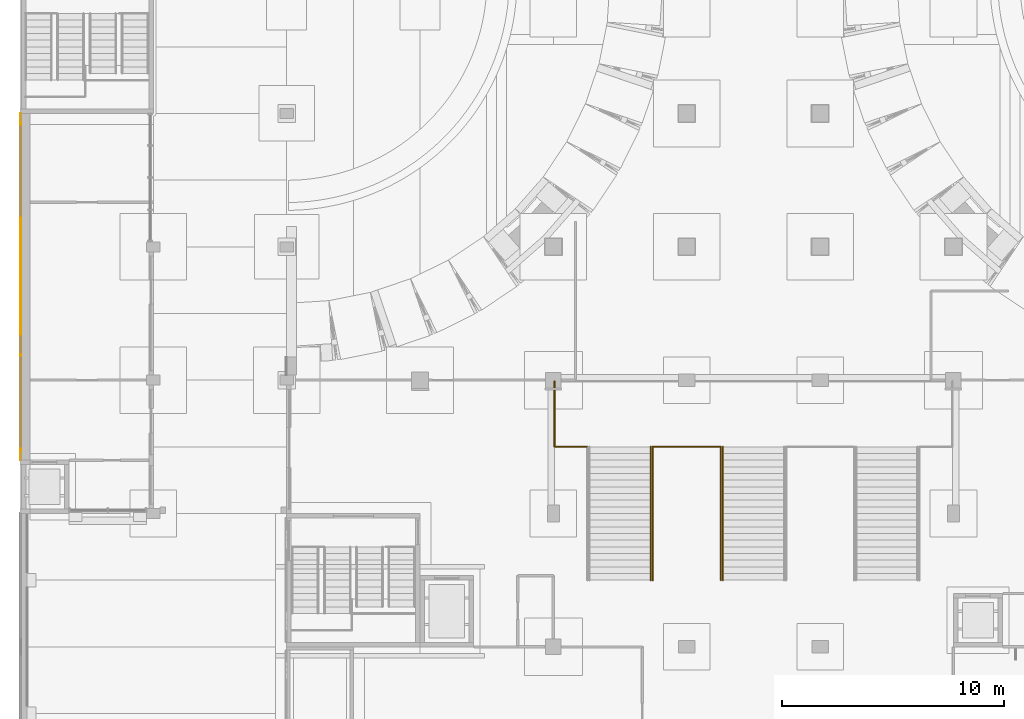
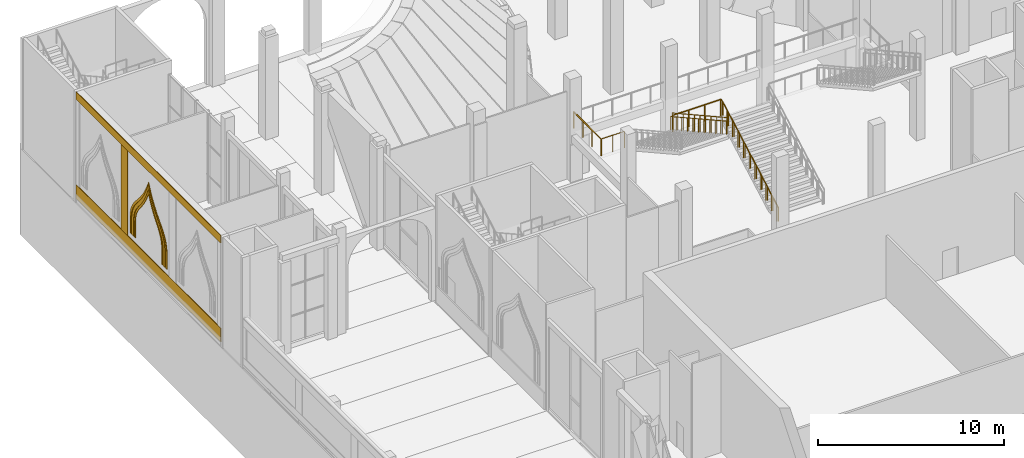
# One storey, part 84 of 95: 7 railings, 6 coverings.
"""IFC4 building model written with IfcOpenShell, lengths in metres."""

from ifc_helpers import new_model, si_unit, direction, frame, origin, origin_2d, place, context, subcontext, project, spatial, polyline, rectangle, circle, outline, extrude, material, layer, layer_set, type_object, element, save


model = new_model("IFC4")

# Units and contexts
model_context = context("Model", 3, precision=1e-05, world=origin(), true_north=direction((0.0, 1.0)))
body_context = subcontext(model_context, "Body", "Model", "MODEL_VIEW")
ifc_project = project(units=[si_unit("LENGTHUNIT", "METRE"), si_unit("AREAUNIT", "SQUARE_METRE"), si_unit("VOLUMEUNIT", "CUBIC_METRE"), si_unit("PLANEANGLEUNIT", "RADIAN"), si_unit("MASSUNIT", "GRAM", prefix="KILO")], contexts=[model_context])

# Site, building, storey
site_placement = place(None, origin())
site = spatial("IfcSite", under=ifc_project, at=site_placement, CompositionType="ELEMENT")
building_placement = place(site_placement, origin())
building = spatial("IfcBuilding", under=site, at=building_placement, Name="Saffron Lane Theatres", CompositionType="ELEMENT")
storey_placement = place(building_placement, origin())
storey = spatial("IfcBuildingStorey", under=building, at=storey_placement, Name="L00", CompositionType="ELEMENT", Elevation=0.0)

# Coverings
ifc_material_1 = material(Name="Face brick cladding, pale buff", Category="masonry")
ifc_layer_1 = layer(ifc_material_1, 0.0400390625)
ifc_layer_set_1 = layer_set([ifc_layer_1], Name="Face brick cladding, pale buff")
covering_type_1 = type_object("IfcCoveringType", Name="EX-FACE BRICK SKIN PALE BUFF 40", PredefinedType="CLADDING", material=ifc_layer_set_1)
covering_1_placement = place(storey_placement, frame((0.0400390625, 112.199951171875, 0.0), z_axis=(0.0, 0.0, 1.0), x_axis=(0.0, 1.0, 0.0)))
element("IfcCovering", 1, at=covering_1_placement, inside=storey, type_object=covering_type_1, Name="Face brick cladding, pale buff L00", PredefinedType="CLADDING", context=body_context, shape_type="SweptSolid", body=[
    extrude(rectangle(XDim=15.60009765625, YDim=0.0400390625, at=origin_2d()), origin(), (0.0, 0.0, 1.0), 0.89990234375),
])
covering_2_placement = place(storey_placement, frame((0.0400390625, 112.199951171875, 6.5), z_axis=(0.0, 0.0, 1.0), x_axis=(0.0, 1.0, 0.0)))
element("IfcCovering", 2, at=covering_2_placement, inside=storey, type_object=covering_type_1, Name="Face brick cladding, pale buff L00", PredefinedType="CLADDING", context=body_context, shape_type="SweptSolid", body=[
    extrude(rectangle(XDim=15.60009765625, YDim=0.0400390625, at=origin_2d()), origin(), (0.0, 0.0, 1.0), 0.5),
])
covering_3_placement = place(storey_placement, frame((0.0400390625, 114.800048828125, 0.89990234375), z_axis=(0.0, 0.0, 1.0), x_axis=(0.0, 1.0, 0.0)))
element("IfcCovering", 3, at=covering_3_placement, inside=storey, type_object=covering_type_1, Name="Face brick cladding, pale buff L00", PredefinedType="CLADDING", context=body_context, shape_type="SweptSolid", body=[
    extrude(rectangle(XDim=0.699951171875, YDim=0.0400390625, at=origin_2d()), origin(), (0.0, 0.0, 1.0), 5.60009765625),
])
ifc_material_2 = material(Name="Face brick cladding, pale buff", Category="masonry")
ifc_layer_2 = layer(ifc_material_2, 0.0400390625)
ifc_layer_set_2 = layer_set([ifc_layer_2], Name="Face brick cladding, pale buff")
covering_type_2 = type_object("IfcCoveringType", Name="EX-NICHE FRAME RING FACE BRICK PALE BUFF", PredefinedType="CLADDING", material=ifc_layer_set_2)
covering_4_placement = place(storey_placement, frame((0.06005859375, 110.6689453125, 2.39306640625), z_axis=(1.0, 0.0, 0.0), x_axis=(0.0, -0.037272469942, -0.999305140077)))
element("IfcCovering", 4, at=covering_4_placement, inside=storey, type_object=covering_type_2, Name="Court wall niche ring", PredefinedType="CLADDING", context=body_context, shape_type="SweptSolid", body=[
    extrude(outline(polyline([(0.0, 0.0), (0.24235590340436833, 1.734723475976807e-18), (1.1426088250069757, 0.03357798195493597), (1.1381317607463175, 0.15361170483528364), (0.2398306069954232, 0.12010652067320389), (0.0055257459793708425, 0.12040681156873582), (-0.19817871037265897, 0.13870586487099182), (-0.3775987084064123, 0.17403517480879674), (-0.538760724865636, 0.2242154804277619), (-0.686245610053506, 0.287610061081069), (-0.8251585551325552, 0.3635398805995423), (-0.961309365037387, 0.4505666906972924), (-1.098113633508499, 0.5485630952368209), (-1.2422478527170677, 0.6531267952582409), (-1.3964867007002681, 0.7665974036110165), (-1.5659973451199565, 0.8834073647725822), (-1.754475749594523, 1.0043960668071892), (-1.9683999339342142, 1.126390165386378), (-2.2109142217257425, 1.248539451152365), (-2.4865630643758565, 1.3682313195324758), (-2.6631623938749205, 1.4327387718502236), (-2.491895502702575, 1.5111983146704508), (-2.225892367605912, 1.6501156866423086), (-1.9931511835053324, 1.7899912349687879), (-1.7889182053396264, 1.9278262316488881), (-1.6099763117292263, 2.06251911818868), (-1.449638189209423, 2.191631906342949), (-1.3042351733341473, 2.315057120991835), (-1.1683362044424397, 2.4312871591954446), (-1.0392121031176598, 2.5392022630116347), (-0.9099133854654207, 2.6358856019563675), (-0.7770426571934386, 2.721952514130071), (-0.6346991161260397, 2.796401538003992), (-0.47771387303194224, 2.8582039128770584), (-0.3014241800910068, 2.9068006205629113), (-0.0996579649737741, 2.9404673863125135), (0.1339735164583581, 2.958220948045326), (1.0322746702092525, 2.991726132207406), (1.0278067056727014, 3.1115158841062893), (0.12755378407009405, 3.0779379021513535), (-0.11412873975035417, 3.0598840495230086), (-0.3268008512406161, 3.0238560283368776), (-0.5161557804913297, 2.9718402837716758), (-0.6846969353858856, 2.9054536154565818), (-0.8368612922111728, 2.8257520832649896), (-0.9785769523151868, 2.7344690616700444), (-1.1128443652683528, 2.6334471218341733), (-1.2457992045037025, 2.523434654580558), (-1.3816981733954101, 2.4072046163769483), (-1.5261253053448294, 2.28381580062449), (-1.6836085738799196, 2.1567639770112192), (-1.8587561284761782, 2.0251443378347087), (-2.0577764403594925, 1.8916570417698533), (-2.285024588299789, 1.7551624098568694), (-2.5450012466527054, 1.6184242988394002), (-2.97690907603778, 1.4210365266485847), (-2.531506355801982, 1.2566153333281083), (-2.2620659843777555, 1.1396236236228916), (-2.0252722258491858, 1.020192695980012), (-1.816860998687418, 0.9019019391738946), (-1.632395326605562, 0.7836952933311447), (-1.4658942314804062, 0.6689718743134718), (-1.3126676663194903, 0.5564407509901246), (-1.1684970482144936, 0.45090116704284805), (-1.0277164462470993, 0.351098590237319), (-0.8862875504217015, 0.26011536766092647), (-0.7381656845463394, 0.17964281830513085), (-0.5804868949121927, 0.11149793572946534), (-0.4074686757569787, 0.057850881164211616), (-0.21476504803487853, 0.020085304550616787), (0.0, 0.0)])), origin(), (0.0, 0.0, -1.0), 0.0400390625),
])
covering_5_placement = place(storey_placement, frame((0.06005859375, 110.410888671875, 2.4140625), z_axis=(1.0, 0.0, 0.0), x_axis=(0.0, -0.041901657311, -0.999121739887)))
element("IfcCovering", 5, at=covering_5_placement, inside=storey, type_object=covering_type_2, Name="Court wall niche ring", PredefinedType="CLADDING", context=body_context, shape_type="SweptSolid", body=[
    extrude(outline(polyline([(0.0, 0.0), (0.2621931644232471, 0.0), (1.1635004956932669, 0.0377994686925917), (1.155111980313585, 0.23781895763478827), (0.25795139454602517, 0.2001933971878729), (0.00970294345353901, 0.19980079648162058), (-0.20546838664234832, 0.220588174119385), (-0.3942902305423498, 0.2598298309303697), (-0.5625554378102882, 0.3158166921551046), (-0.7187195864826749, 0.3862393017572159), (-0.8655170143098301, 0.4722047619019896), (-1.0106203712261619, 0.57021467521333), (-1.158461248527375, 0.6810606083728648), (-1.3125860104390266, 0.8019059246622287), (-1.4792753589369931, 0.9310210895283425), (-1.6630820527613535, 1.0662603252837044), (-1.8690671628578486, 1.2059452468592577), (-2.100248281452763, 1.3462839725061382), (-2.3631909563152194, 1.4865124425985698), (-2.662427486391686, 1.6239970270369974), (-2.7883997996284204, 1.6736938657132114), (-2.667030939953707, 1.7337638197491785), (-2.3803669530499585, 1.8960645425180187), (-2.130078660534657, 2.057572789281071), (-1.9115110046996788, 2.217995075665567), (-1.7178938398398125, 2.3732169371767404), (-1.5460663551735103, 2.523615288679076), (-1.390773111715746, 2.666233917327117), (-1.247297672377569, 2.7993157815119316), (-1.1092570362150573, 2.9221511537263294), (-0.9728695513761514, 3.0319663679500515), (-0.8337854657395819, 3.129921267149688), (-0.6840661520540241, 3.2131721673446303), (-0.5210795715372027, 3.283051228429863), (-0.33620646780373453, 3.3379650871453266), (-0.12354146242494729, 3.376939629984194), (0.12386813712957068, 3.397334179584666), (1.0210287228971304, 3.4349597400315814), (1.0126504374142529, 3.634735302767751), (0.11134310614423296, 3.5969358340751594), (-0.14992936756661002, 3.5749824755327233), (-0.38227055645915387, 3.533227901404475), (-0.5888515012117506, 3.471539123031958), (-0.7727629946455967, 3.3936962009499494), (-0.9401134218081735, 3.299687313944365), (-1.093698499830628, 3.192083121416653), (-1.2388145872852052, 3.0748155410363798), (-1.3815700692193866, 2.9478727515894594), (-1.5261730705164585, 2.8125444020663783), (-1.6793528172944152, 2.6719692521377945), (-1.8465166056730702, 2.526897948898117), (-2.033233818803828, 2.376119499896734), (-2.2430728720231343, 2.2231495796687892), (-2.4838087142334433, 2.0669290528984576), (-2.7604835479041667, 1.9111561409460829), (-3.284057850275425, 1.6529067154064871), (-2.740750076968305, 1.440622489519867), (-2.451963045481065, 1.3075867735361923), (-2.1989922466925855, 1.172071557898149), (-1.9770819152439807, 1.0372085550141523), (-1.7784264125423825, 0.9033251215819457), (-1.5996619211874359, 0.771784107186927), (-1.4352497477181487, 0.6445282828977893), (-1.2798337454987303, 0.5220266326502585), (-1.1269404358312993, 0.4072385519243533), (-0.9725151422846359, 0.302533284819994), (-0.8104699396048678, 0.20841050496331973), (-0.6358255960206893, 0.1285000070716038), (-0.44605237171787027, 0.06657321310010164), (-0.23503165175212481, 0.022398018056871388), (0.0, 0.0)])), origin(), (0.0, 0.0, -1.0), 0.0400390625),
])
covering_6_placement = place(storey_placement, frame((0.06005859375, 110.2119140625, 2.429931640625), z_axis=(1.0, 0.0, 0.0), x_axis=(0.0, -0.04301813733, -0.999074291462)))
element("IfcCovering", 6, at=covering_6_placement, inside=storey, type_object=covering_type_2, Name="Court wall niche ring", PredefinedType="CLADDING", context=body_context, shape_type="SweptSolid", body=[
    extrude(outline(polyline([(0.0, 0.0), (0.2780894610383621, 0.0), (1.1793539891029958, 0.038806644881517624), (1.1733255684908197, 0.17881363787450813), (0.276207588999149, 0.1401855350668703), (0.0068990543505912, 0.14056362416449805), (-0.22627968050730682, 0.16449040542662047), (-0.4325133514087546, 0.20961546783022952), (-0.6173699847586127, 0.27472159596408474), (-0.7871073409278228, 0.3575844085043873), (-0.9484605070562699, 0.45571460455553114), (-1.1055760317169172, 0.5689336420436366), (-1.265252016899255, 0.6962157078047317), (-1.4312125544804268, 0.8332462136669077), (-1.6107750831186036, 0.9797100853821413), (-1.8065386438556414, 1.1335404787506453), (-2.0263633746667136, 1.290000348904692), (-2.273451673061829, 1.4496849075359555), (-2.553701857565716, 1.6076972149542414), (-2.872734466957905, 1.764039628858005), (-3.0959159173596507, 1.856575220812618), (-2.881514536002817, 1.9679522527990152), (-2.5771013717189017, 2.151138992634351), (-2.311481134798223, 2.3328997535771028), (-2.0790227839863156, 2.512988263306877), (-1.873470916610692, 2.6880083643679424), (-1.6916441401112114, 2.8578526743125017), (-1.5253357348398748, 3.019209055484296), (-1.3717681176809469, 3.169997803510149), (-1.2236238499762564, 3.3105339926380846), (-1.0768217557009, 3.436839113894085), (-0.9245112204907172, 3.5487194073324266), (-0.7625141883479425, 3.6456216711611726), (-0.5839380350086791, 3.7263764869468448), (-0.38234645802810574, 3.789061687440277), (-0.15209791367682296, 3.8331870856991377), (0.11618137842819254, 3.8567126295515326), (1.0132993579198633, 3.8953407323591707), (1.007281439782621, 4.035103810730222), (0.1060169117179873, 3.9962971658487043), (-0.1710433067768325, 3.9723935328986815), (-0.41628852798912447, 3.924690005730638), (-0.6335665157967877, 3.8574195104154647), (-0.827002813822917, 3.7699156756354038), (-1.0025984076431262, 3.665341246699182), (-1.163639714566897, 3.5462427522739866), (-1.3172947809048687, 3.414510852184178), (-1.4692156528613738, 3.2708796479940285), (-1.6237169186083218, 3.119073231580683), (-1.7881265192788165, 2.9590204433180562), (-1.9669399428171017, 2.7929713848767257), (-2.166774391440332, 2.6213742332992864), (-2.393588840824386, 2.4464160754067104), (-2.65304583964853, 2.2690749273852084), (-2.9498217756293426, 2.0901269006987886), (-3.4254445715992503, 1.8423863771766422), (-2.9302871722519073, 1.6364457038922338), (-2.619227870360712, 1.4836698447416032), (-2.3454980081011194, 1.3295310215479936), (-2.104484212606156, 1.174716610579031), (-1.8906289599458954, 1.0206877418678946), (-1.6982148313679444, 0.8708673648982103), (-1.5206456296050161, 0.7252951318712599), (-1.3536674236363517, 0.5873309774210644), (-1.1900047847035171, 0.458265634283403), (-1.025553174133286, 0.3392533030199113), (-0.8548705952200065, 0.23443817450509802), (-0.6709360363021181, 0.14534439362174723), (-0.4706941345186888, 0.07479155338533136), (-0.2484379735922599, 0.02644651790141503), (0.0, 0.0)])), origin(), (0.0, 0.0, -1.0), 0.0400390625),
])

# Railings
ifc_material_3 = material(Name="Steel Grade 350", Category="steel")
railing_type_1 = type_object("IfcRailingType", Name="VC-GUARD 1100", PredefinedType="GUARDRAIL", material=ifc_material_3)
railing_1_placement = place(storey_placement, frame((31.530029296875, 99.0, 0.166748046875)))
element("IfcRailing", 7, at=railing_1_placement, inside=storey, type_object=railing_type_1, Name="Grand Stair flight guard 1.1a", PredefinedType="GUARDRAIL", context=body_context, shape_type="SweptSolid", body=[
    extrude(circle(Radius=0.02392578125, at=origin_2d()), frame((0.0, 0.0, 1.076171875), z_axis=(0.0, 0.874241147926, 0.485491931212), x_axis=(-1.0, 0.0, 0.0)), (0.0, 0.0, 1.0), 0.6865234375),
    extrude(circle(Radius=0.02392578125, at=origin_2d()), frame((0.0, 0.60009765625, 1.4091796875), z_axis=(0.0, 0.874157276122, 0.485642931179), x_axis=(-1.0, 0.0, 0.0)), (0.0, 0.0, 1.0), 0.686279296875),
    extrude(circle(Radius=0.02392578125, at=origin_2d()), frame((0.0, 1.199951171875, 1.74267578125), z_axis=(0.0, 0.874090171491, 0.485763699861), x_axis=(-1.0, 0.0, 0.0)), (0.0, 0.0, 1.0), 0.6865234375),
    extrude(circle(Radius=0.02392578125, at=origin_2d()), frame((0.0, 1.800048828125, 2.076171875), z_axis=(0.0, 0.874157276122, 0.485642931179), x_axis=(-1.0, 0.0, 0.0)), (0.0, 0.0, 1.0), 0.686279296875),
    extrude(circle(Radius=0.02392578125, at=origin_2d()), frame((0.0, 2.39990234375, 2.4091796875), z_axis=(0.0, 0.874241147926, 0.485491931212), x_axis=(-1.0, 0.0, 0.0)), (0.0, 0.0, 1.0), 0.6865234375),
    extrude(circle(Radius=0.02392578125, at=origin_2d()), frame((0.0, 3.0, 2.74267578125), z_axis=(0.0, 0.874090171491, 0.485763699861), x_axis=(-1.0, 0.0, 0.0)), (0.0, 0.0, 1.0), 0.6865234375),
    extrude(circle(Radius=0.02392578125, at=origin_2d()), frame((0.0, 3.60009765625, 3.076171875), z_axis=(0.0, 0.874157276122, 0.485642931179), x_axis=(-1.0, 0.0, 0.0)), (0.0, 0.0, 1.0), 0.686279296875),
    extrude(circle(Radius=0.02392578125, at=origin_2d()), frame((0.0, 4.199951171875, 3.4091796875), z_axis=(0.0, 0.874241147926, 0.485491931212), x_axis=(-1.0, 0.0, 0.0)), (0.0, 0.0, 1.0), 0.6865234375),
    extrude(circle(Radius=0.02392578125, at=origin_2d()), frame((0.0, 4.800048828125, 3.74267578125), z_axis=(0.0, 0.874006220275, 0.485914732151), x_axis=(-1.0, 0.0, 0.0)), (0.0, 0.0, 1.0), 0.686279296875),
    extrude(circle(Radius=0.02392578125, at=origin_2d()), frame((0.0, 5.39990234375, 4.076171875), z_axis=(0.0, 0.874241147926, 0.485491931212), x_axis=(-1.0, 0.0, 0.0)), (0.0, 0.0, 1.0), 0.6865234375),
    extrude(circle(Radius=0.02099609375, at=origin_2d()), origin(), (0.0, 0.0, 1.0), 1.052001953125),
    extrude(circle(Radius=0.02099609375, at=origin_2d()), frame((0.0, 0.60009765625, 0.333251953125)), (0.0, 0.0, 1.0), 1.052001953125),
    extrude(circle(Radius=0.02099609375, at=origin_2d()), frame((0.0, 1.199951171875, 0.66650390625)), (0.0, 0.0, 1.0), 1.052001953125),
    extrude(circle(Radius=0.02099609375, at=origin_2d()), frame((0.0, 1.800048828125, 1.0)), (0.0, 0.0, 1.0), 1.052001953125),
    extrude(circle(Radius=0.02099609375, at=origin_2d()), frame((0.0, 2.39990234375, 1.333251953125)), (0.0, 0.0, 1.0), 1.052001953125),
    extrude(circle(Radius=0.02099609375, at=origin_2d()), frame((0.0, 3.0, 1.66650390625)), (0.0, 0.0, 1.0), 1.052001953125),
    extrude(circle(Radius=0.02099609375, at=origin_2d()), frame((0.0, 3.60009765625, 2.0)), (0.0, 0.0, 1.0), 1.052001953125),
    extrude(circle(Radius=0.02099609375, at=origin_2d()), frame((0.0, 4.199951171875, 2.333251953125)), (0.0, 0.0, 1.0), 1.052001953125),
    extrude(circle(Radius=0.02099609375, at=origin_2d()), frame((0.0, 4.800048828125, 2.66650390625)), (0.0, 0.0, 1.0), 1.052001953125),
    extrude(circle(Radius=0.02099609375, at=origin_2d()), frame((0.0, 5.39990234375, 3.0)), (0.0, 0.0, 1.0), 1.052001953125),
    extrude(circle(Radius=0.02099609375, at=origin_2d()), frame((0.0, 6.0, 3.333251953125)), (0.0, 0.0, 1.0), 1.052001953125),
])
railing_2_placement = place(storey_placement, frame((28.469970703125, 105.0, 3.666748046875)))
element("IfcRailing", 8, at=railing_2_placement, inside=storey, type_object=railing_type_1, Name="Grand Stair flight guard 1.2b", PredefinedType="GUARDRAIL", context=body_context, shape_type="SweptSolid", body=[
    extrude(circle(Radius=0.02392578125, at=origin_2d()), frame((0.0, 0.0, 1.076171875), z_axis=(0.0, -0.874241147926, 0.485491931212), x_axis=(1.0, 0.0, 0.0)), (0.0, 0.0, 1.0), 0.6865234375),
    extrude(circle(Radius=0.02392578125, at=origin_2d()), frame((0.0, -0.60009765625, 1.4091796875), z_axis=(0.0, -0.874157276122, 0.485642931179), x_axis=(1.0, 0.0, 0.0)), (0.0, 0.0, 1.0), 0.686279296875),
    extrude(circle(Radius=0.02392578125, at=origin_2d()), frame((0.0, -1.199951171875, 1.74267578125), z_axis=(0.0, -0.874090171491, 0.485763699861), x_axis=(1.0, 0.0, 0.0)), (0.0, 0.0, 1.0), 0.6865234375),
    extrude(circle(Radius=0.02392578125, at=origin_2d()), frame((0.0, -1.800048828125, 2.076171875), z_axis=(0.0, -0.874157276122, 0.485642931179), x_axis=(1.0, 0.0, 0.0)), (0.0, 0.0, 1.0), 0.686279296875),
    extrude(circle(Radius=0.02392578125, at=origin_2d()), frame((0.0, -2.39990234375, 2.4091796875), z_axis=(0.0, -0.874241147926, 0.485491931212), x_axis=(1.0, 0.0, 0.0)), (0.0, 0.0, 1.0), 0.6865234375),
    extrude(circle(Radius=0.02392578125, at=origin_2d()), frame((0.0, -3.0, 2.74267578125), z_axis=(0.0, -0.874090171491, 0.485763699861), x_axis=(1.0, 0.0, 0.0)), (0.0, 0.0, 1.0), 0.6865234375),
    extrude(circle(Radius=0.02392578125, at=origin_2d()), frame((0.0, -3.60009765625, 3.076171875), z_axis=(0.0, -0.874157276122, 0.485642931179), x_axis=(1.0, 0.0, 0.0)), (0.0, 0.0, 1.0), 0.686279296875),
    extrude(circle(Radius=0.02392578125, at=origin_2d()), frame((0.0, -4.199951171875, 3.4091796875), z_axis=(0.0, -0.874241147926, 0.485491931212), x_axis=(1.0, 0.0, 0.0)), (0.0, 0.0, 1.0), 0.6865234375),
    extrude(circle(Radius=0.02392578125, at=origin_2d()), frame((0.0, -4.800048828125, 3.74267578125), z_axis=(0.0, -0.874006220275, 0.485914732151), x_axis=(1.0, 0.0, 0.0)), (0.0, 0.0, 1.0), 0.686279296875),
    extrude(circle(Radius=0.02392578125, at=origin_2d()), frame((0.0, -5.39990234375, 4.076171875), z_axis=(0.0, -0.874241147926, 0.485491931212), x_axis=(1.0, 0.0, 0.0)), (0.0, 0.0, 1.0), 0.6865234375),
    extrude(circle(Radius=0.02099609375, at=origin_2d()), origin(), (0.0, 0.0, 1.0), 1.052001953125),
    extrude(circle(Radius=0.02099609375, at=origin_2d()), frame((0.0, -0.60009765625, 0.333251953125)), (0.0, 0.0, 1.0), 1.052001953125),
    extrude(circle(Radius=0.02099609375, at=origin_2d()), frame((0.0, -1.199951171875, 0.66650390625)), (0.0, 0.0, 1.0), 1.052001953125),
    extrude(circle(Radius=0.02099609375, at=origin_2d()), frame((0.0, -1.800048828125, 1.0)), (0.0, 0.0, 1.0), 1.052001953125),
    extrude(circle(Radius=0.02099609375, at=origin_2d()), frame((0.0, -2.39990234375, 1.333251953125)), (0.0, 0.0, 1.0), 1.052001953125),
    extrude(circle(Radius=0.02099609375, at=origin_2d()), frame((0.0, -3.0, 1.66650390625)), (0.0, 0.0, 1.0), 1.052001953125),
    extrude(circle(Radius=0.02099609375, at=origin_2d()), frame((0.0, -3.60009765625, 2.0)), (0.0, 0.0, 1.0), 1.052001953125),
    extrude(circle(Radius=0.02099609375, at=origin_2d()), frame((0.0, -4.199951171875, 2.333251953125)), (0.0, 0.0, 1.0), 1.052001953125),
    extrude(circle(Radius=0.02099609375, at=origin_2d()), frame((0.0, -4.800048828125, 2.66650390625)), (0.0, 0.0, 1.0), 1.052001953125),
    extrude(circle(Radius=0.02099609375, at=origin_2d()), frame((0.0, -5.39990234375, 3.0)), (0.0, 0.0, 1.0), 1.052001953125),
    extrude(circle(Radius=0.02099609375, at=origin_2d()), frame((0.0, -6.0, 3.333251953125)), (0.0, 0.0, 1.0), 1.052001953125),
])
railing_3_placement = place(storey_placement, frame((24.050048828125, 105.0, 3.5)))
element("IfcRailing", 9, at=railing_3_placement, inside=storey, type_object=railing_type_1, Name="Grand Stair landing guard 1m-west", PredefinedType="GUARDRAIL", context=body_context, shape_type="SweptSolid", body=[
    extrude(circle(Radius=0.02392578125, at=origin_2d()), frame((0.0, 0.0, 1.076171875), z_axis=(0.0, 1.0, 0.0), x_axis=(-1.0, 0.0, 0.0)), (0.0, 0.0, 1.0), 2.949951171875),
    extrude(circle(Radius=0.02099609375, at=origin_2d()), origin(), (0.0, 0.0, 1.0), 1.052001953125),
    extrude(circle(Radius=0.02099609375, at=origin_2d()), frame((0.0, 0.9833984375, 0.0)), (0.0, 0.0, 1.0), 1.052001953125),
    extrude(circle(Radius=0.02099609375, at=origin_2d()), frame((0.0, 1.966552734375, 0.0)), (0.0, 0.0, 1.0), 1.052001953125),
    extrude(circle(Radius=0.02099609375, at=origin_2d()), frame((0.0, 2.949951171875, 0.0)), (0.0, 0.0, 1.0), 1.052001953125),
])
railing_4_placement = place(storey_placement, frame((24.050048828125, 105.0, 3.5)))
element("IfcRailing", 10, at=railing_4_placement, inside=storey, type_object=railing_type_1, Name="Grand Stair landing guard 1m-gap1", PredefinedType="GUARDRAIL", context=body_context, shape_type="SweptSolid", body=[
    extrude(circle(Radius=0.02392578125, at=origin_2d()), frame((0.0, 0.0, 1.076171875), z_axis=(1.0, 0.0, 0.0), x_axis=(0.0, 1.0, 0.0)), (0.0, 0.0, 1.0), 1.449951171875),
    extrude(circle(Radius=0.02099609375, at=origin_2d()), origin(), (0.0, 0.0, 1.0), 1.052001953125),
    extrude(circle(Radius=0.02099609375, at=origin_2d()), frame((0.72509765625, 0.0, 0.0)), (0.0, 0.0, 1.0), 1.052001953125),
    extrude(circle(Radius=0.02099609375, at=origin_2d()), frame((1.449951171875, 0.0, 0.0)), (0.0, 0.0, 1.0), 1.052001953125),
])
railing_5_placement = place(storey_placement, frame((28.5, 105.0, 3.5)))
element("IfcRailing", 11, at=railing_5_placement, inside=storey, type_object=railing_type_1, Name="Grand Stair landing guard 1m-gap2", PredefinedType="GUARDRAIL", context=body_context, shape_type="SweptSolid", body=[
    extrude(circle(Radius=0.02392578125, at=origin_2d()), frame((0.0, 0.0, 1.076171875), z_axis=(1.0, 0.0, 0.0), x_axis=(0.0, 1.0, 0.0)), (0.0, 0.0, 1.0), 3.0),
    extrude(circle(Radius=0.02099609375, at=origin_2d()), origin(), (0.0, 0.0, 1.0), 1.052001953125),
    extrude(circle(Radius=0.02099609375, at=origin_2d()), frame((1.0, 0.0, 0.0)), (0.0, 0.0, 1.0), 1.052001953125),
    extrude(circle(Radius=0.02099609375, at=origin_2d()), frame((2.0, 0.0, 0.0)), (0.0, 0.0, 1.0), 1.052001953125),
    extrude(circle(Radius=0.02099609375, at=origin_2d()), frame((3.0, 0.0, 0.0)), (0.0, 0.0, 1.0), 1.052001953125),
])
ifc_material_4 = material(Name="Steel Grade 350", Category="steel")
railing_type_2 = type_object("IfcRailingType", Name="VC-HANDRAIL 900", PredefinedType="HANDRAIL", material=ifc_material_4)
railing_6_placement = place(storey_placement, frame((31.6201171875, 99.0, 0.166748046875)))
element("IfcRailing", 12, at=railing_6_placement, inside=storey, type_object=railing_type_2, Name="Grand Stair handrail 1.1a", PredefinedType="HANDRAIL", context=body_context, shape_type="SweptSolid", body=[
    extrude(circle(Radius=0.02392578125, at=origin_2d()), frame((0.0, 0.0, 0.8759765625), z_axis=(0.0, 0.874241147926, 0.485491931212), x_axis=(-1.0, 0.0, 0.0)), (0.0, 0.0, 1.0), 0.6865234375),
    extrude(circle(Radius=0.02392578125, at=origin_2d()), frame((0.0, 0.60009765625, 1.208984375), z_axis=(0.0, 0.874157276122, 0.485642931179), x_axis=(-1.0, 0.0, 0.0)), (0.0, 0.0, 1.0), 0.686279296875),
    extrude(circle(Radius=0.02392578125, at=origin_2d()), frame((0.0, 1.199951171875, 1.54248046875), z_axis=(0.0, 0.874090171491, 0.485763699861), x_axis=(-1.0, 0.0, 0.0)), (0.0, 0.0, 1.0), 0.6865234375),
    extrude(circle(Radius=0.02392578125, at=origin_2d()), frame((0.0, 1.800048828125, 1.8759765625), z_axis=(0.0, 0.874157276122, 0.485642931179), x_axis=(-1.0, 0.0, 0.0)), (0.0, 0.0, 1.0), 0.686279296875),
    extrude(circle(Radius=0.02392578125, at=origin_2d()), frame((0.0, 2.39990234375, 2.208984375), z_axis=(0.0, 0.874241147926, 0.485491931212), x_axis=(-1.0, 0.0, 0.0)), (0.0, 0.0, 1.0), 0.6865234375),
    extrude(circle(Radius=0.02392578125, at=origin_2d()), frame((0.0, 3.0, 2.54248046875), z_axis=(0.0, 0.874090171491, 0.485763699861), x_axis=(-1.0, 0.0, 0.0)), (0.0, 0.0, 1.0), 0.6865234375),
    extrude(circle(Radius=0.02392578125, at=origin_2d()), frame((0.0, 3.60009765625, 2.8759765625), z_axis=(0.0, 0.874157276122, 0.485642931179), x_axis=(-1.0, 0.0, 0.0)), (0.0, 0.0, 1.0), 0.686279296875),
    extrude(circle(Radius=0.02392578125, at=origin_2d()), frame((0.0, 4.199951171875, 3.208984375), z_axis=(0.0, 0.874241147926, 0.485491931212), x_axis=(-1.0, 0.0, 0.0)), (0.0, 0.0, 1.0), 0.6865234375),
    extrude(circle(Radius=0.02392578125, at=origin_2d()), frame((0.0, 4.800048828125, 3.54248046875), z_axis=(0.0, 0.874006220275, 0.485914732151), x_axis=(-1.0, 0.0, 0.0)), (0.0, 0.0, 1.0), 0.686279296875),
    extrude(circle(Radius=0.02392578125, at=origin_2d()), frame((0.0, 5.39990234375, 3.8759765625), z_axis=(0.0, 0.874241147926, 0.485491931212), x_axis=(-1.0, 0.0, 0.0)), (0.0, 0.0, 1.0), 0.6865234375),
    extrude(circle(Radius=0.02099609375, at=origin_2d()), origin(), (0.0, 0.0, 1.0), 0.851806640625),
    extrude(circle(Radius=0.02099609375, at=origin_2d()), frame((0.0, 0.60009765625, 0.333251953125)), (0.0, 0.0, 1.0), 0.851806640625),
    extrude(circle(Radius=0.02099609375, at=origin_2d()), frame((0.0, 1.199951171875, 0.66650390625)), (0.0, 0.0, 1.0), 0.851806640625),
    extrude(circle(Radius=0.02099609375, at=origin_2d()), frame((0.0, 1.800048828125, 1.0)), (0.0, 0.0, 1.0), 0.851806640625),
    extrude(circle(Radius=0.02099609375, at=origin_2d()), frame((0.0, 2.39990234375, 1.333251953125)), (0.0, 0.0, 1.0), 0.851806640625),
    extrude(circle(Radius=0.02099609375, at=origin_2d()), frame((0.0, 3.0, 1.66650390625)), (0.0, 0.0, 1.0), 0.851806640625),
    extrude(circle(Radius=0.02099609375, at=origin_2d()), frame((0.0, 3.60009765625, 2.0)), (0.0, 0.0, 1.0), 0.851806640625),
    extrude(circle(Radius=0.02099609375, at=origin_2d()), frame((0.0, 4.199951171875, 2.333251953125)), (0.0, 0.0, 1.0), 0.851806640625),
    extrude(circle(Radius=0.02099609375, at=origin_2d()), frame((0.0, 4.800048828125, 2.66650390625)), (0.0, 0.0, 1.0), 0.851806640625),
    extrude(circle(Radius=0.02099609375, at=origin_2d()), frame((0.0, 5.39990234375, 3.0)), (0.0, 0.0, 1.0), 0.851806640625),
    extrude(circle(Radius=0.02099609375, at=origin_2d()), frame((0.0, 6.0, 3.333251953125)), (0.0, 0.0, 1.0), 0.851806640625),
])
railing_7_placement = place(storey_placement, frame((28.3798828125, 105.0, 3.666748046875)))
element("IfcRailing", 13, at=railing_7_placement, inside=storey, type_object=railing_type_2, Name="Grand Stair handrail 1.2b", PredefinedType="HANDRAIL", context=body_context, shape_type="SweptSolid", body=[
    extrude(circle(Radius=0.02392578125, at=origin_2d()), frame((0.0, 0.0, 0.8759765625), z_axis=(0.0, -0.874241147926, 0.485491931212), x_axis=(1.0, 0.0, 0.0)), (0.0, 0.0, 1.0), 0.6865234375),
    extrude(circle(Radius=0.02392578125, at=origin_2d()), frame((0.0, -0.60009765625, 1.208984375), z_axis=(0.0, -0.874157276122, 0.485642931179), x_axis=(1.0, 0.0, 0.0)), (0.0, 0.0, 1.0), 0.686279296875),
    extrude(circle(Radius=0.02392578125, at=origin_2d()), frame((0.0, -1.199951171875, 1.54248046875), z_axis=(0.0, -0.874090171491, 0.485763699861), x_axis=(1.0, 0.0, 0.0)), (0.0, 0.0, 1.0), 0.6865234375),
    extrude(circle(Radius=0.02392578125, at=origin_2d()), frame((0.0, -1.800048828125, 1.8759765625), z_axis=(0.0, -0.874157276122, 0.485642931179), x_axis=(1.0, 0.0, 0.0)), (0.0, 0.0, 1.0), 0.686279296875),
    extrude(circle(Radius=0.02392578125, at=origin_2d()), frame((0.0, -2.39990234375, 2.208984375), z_axis=(0.0, -0.874241147926, 0.485491931212), x_axis=(1.0, 0.0, 0.0)), (0.0, 0.0, 1.0), 0.6865234375),
    extrude(circle(Radius=0.02392578125, at=origin_2d()), frame((0.0, -3.0, 2.54248046875), z_axis=(0.0, -0.874090171491, 0.485763699861), x_axis=(1.0, 0.0, 0.0)), (0.0, 0.0, 1.0), 0.6865234375),
    extrude(circle(Radius=0.02392578125, at=origin_2d()), frame((0.0, -3.60009765625, 2.8759765625), z_axis=(0.0, -0.874157276122, 0.485642931179), x_axis=(1.0, 0.0, 0.0)), (0.0, 0.0, 1.0), 0.686279296875),
    extrude(circle(Radius=0.02392578125, at=origin_2d()), frame((0.0, -4.199951171875, 3.208984375), z_axis=(0.0, -0.874241147926, 0.485491931212), x_axis=(1.0, 0.0, 0.0)), (0.0, 0.0, 1.0), 0.6865234375),
    extrude(circle(Radius=0.02392578125, at=origin_2d()), frame((0.0, -4.800048828125, 3.54248046875), z_axis=(0.0, -0.874006220275, 0.485914732151), x_axis=(1.0, 0.0, 0.0)), (0.0, 0.0, 1.0), 0.686279296875),
    extrude(circle(Radius=0.02392578125, at=origin_2d()), frame((0.0, -5.39990234375, 3.8759765625), z_axis=(0.0, -0.874241147926, 0.485491931212), x_axis=(1.0, 0.0, 0.0)), (0.0, 0.0, 1.0), 0.6865234375),
    extrude(circle(Radius=0.02099609375, at=origin_2d()), origin(), (0.0, 0.0, 1.0), 0.851806640625),
    extrude(circle(Radius=0.02099609375, at=origin_2d()), frame((0.0, -0.60009765625, 0.333251953125)), (0.0, 0.0, 1.0), 0.851806640625),
    extrude(circle(Radius=0.02099609375, at=origin_2d()), frame((0.0, -1.199951171875, 0.66650390625)), (0.0, 0.0, 1.0), 0.851806640625),
    extrude(circle(Radius=0.02099609375, at=origin_2d()), frame((0.0, -1.800048828125, 1.0)), (0.0, 0.0, 1.0), 0.851806640625),
    extrude(circle(Radius=0.02099609375, at=origin_2d()), frame((0.0, -2.39990234375, 1.333251953125)), (0.0, 0.0, 1.0), 0.851806640625),
    extrude(circle(Radius=0.02099609375, at=origin_2d()), frame((0.0, -3.0, 1.66650390625)), (0.0, 0.0, 1.0), 0.851806640625),
    extrude(circle(Radius=0.02099609375, at=origin_2d()), frame((0.0, -3.60009765625, 2.0)), (0.0, 0.0, 1.0), 0.851806640625),
    extrude(circle(Radius=0.02099609375, at=origin_2d()), frame((0.0, -4.199951171875, 2.333251953125)), (0.0, 0.0, 1.0), 0.851806640625),
    extrude(circle(Radius=0.02099609375, at=origin_2d()), frame((0.0, -4.800048828125, 2.66650390625)), (0.0, 0.0, 1.0), 0.851806640625),
    extrude(circle(Radius=0.02099609375, at=origin_2d()), frame((0.0, -5.39990234375, 3.0)), (0.0, 0.0, 1.0), 0.851806640625),
    extrude(circle(Radius=0.02099609375, at=origin_2d()), frame((0.0, -6.0, 3.333251953125)), (0.0, 0.0, 1.0), 0.851806640625),
])

save(model, "model.ifc")
